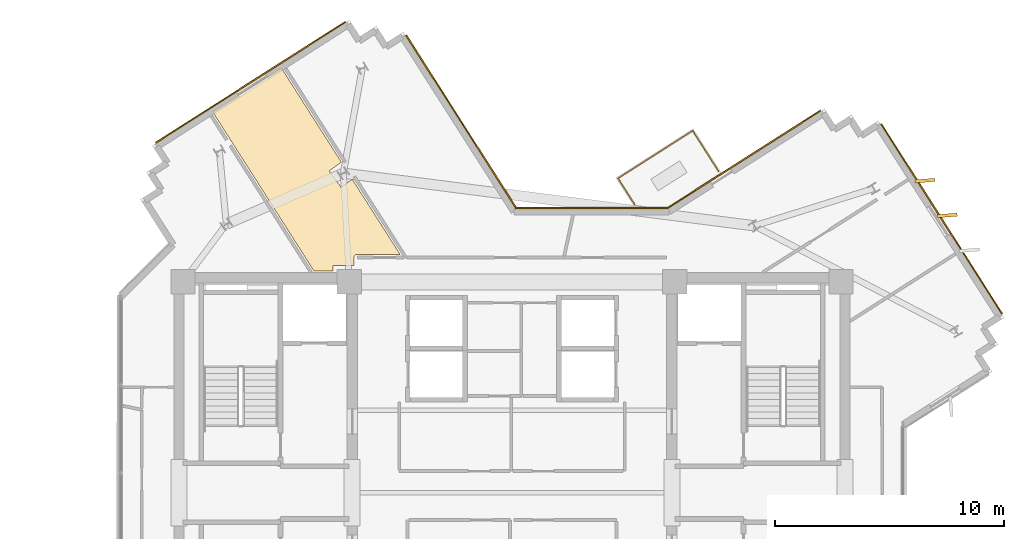
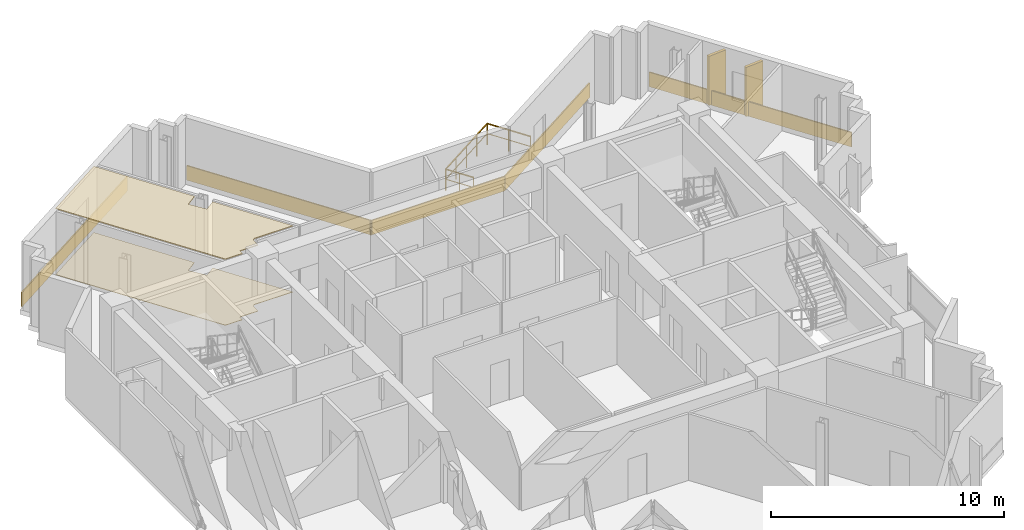
# One storey, part 12 of 12: 9 coverings, 3 railings.
"""IFC4 building model written with IfcOpenShell, lengths in metres."""

import ifcopenshell
import ifcopenshell.guid

model = None  # the IFC model being written
_history = None  # IfcOwnerHistory: only IFC2X3 demands one
_inside = {}  # id of a spatial element -> (the spatial element, [elements in it])
_under = {}  # id of a project, library or spatial element -> (it, [spatial elements below it])
_declared = {}  # id of a project -> (the project, [libraries it declares])
_typed = {}  # id of a type object -> (the type object, [elements of that type])
_made_of = {}  # id of a material, layer set ... -> (it, [elements and type objects made of it])


def new_model(schema):
    """Start an empty IFC model of exactly this schema.

    Asked for "IFC4X3", IfcOpenShell would pick the latest addendum, in which some entities
    have other attributes; the version numbers below select the first issue.
    IFC2X3 requires an IfcOwnerHistory on every rooted entity: one is made here for all.
    """
    global model, _history
    if schema == "IFC4X3":
        model = ifcopenshell.file(schema_version=(4, 3, 0, 0))
    else:
        model = ifcopenshell.file(schema=schema)
    _inside.clear()
    _under.clear()
    _declared.clear()
    _typed.clear()
    _made_of.clear()
    _history = None
    if model.schema == "IFC2X3":
        org = make("IfcOrganization", Name="unknown")
        user = make(
            "IfcPersonAndOrganization",
            ThePerson=make("IfcPerson", FamilyName="unknown"),
            TheOrganization=org,
        )
        app = make(
            "IfcApplication",
            ApplicationDeveloper=org,
            Version="unknown",
            ApplicationFullName="unknown",
            ApplicationIdentifier="unknown",
        )
        _history = make(
            "IfcOwnerHistory",
            OwningUser=user,
            OwningApplication=app,
            ChangeAction="ADDED",
            CreationDate=0,
        )
    return model


def make(cls, **values):
    """One entity of the class cls with the attributes given. An attribute that is None is left unset."""
    return model.create_entity(
        cls, **{name: value for name, value in values.items() if value is not None}
    )


def rooted(cls, **values):
    """An entity with a GlobalId (a new one), such as an element, a storey or a relation."""
    return make(cls, GlobalId=ifcopenshell.guid.new(), OwnerHistory=_history, **values)


def si_unit(unit_type, name, prefix=None):
    """IfcSIUnit, for example si_unit("LENGTHUNIT", "METRE", prefix="MILLI")."""
    return make("IfcSIUnit", UnitType=unit_type, Prefix=prefix, Name=name)


def assignment(units):
    """IfcUnitAssignment: the units of a project."""
    return None if units is None else make("IfcUnitAssignment", Units=units)


def point(xyz):
    """IfcCartesianPoint."""
    return None if xyz is None else make("IfcCartesianPoint", Coordinates=xyz)


def direction(xyz):
    """IfcDirection."""
    return None if xyz is None else make("IfcDirection", DirectionRatios=xyz)


def frame(location, z_axis=None, x_axis=None):
    """IfcAxis2Placement3D, a coordinate frame: its origin and axes. An axis left out is left unset."""
    return make(
        "IfcAxis2Placement3D",
        Location=point(location),
        Axis=direction(z_axis),
        RefDirection=direction(x_axis),
    )


def frame_2d(location, x_axis=None):
    """IfcAxis2Placement2D, a coordinate frame in the plane: its origin and x axis."""
    return make(
        "IfcAxis2Placement2D", Location=point(location), RefDirection=direction(x_axis)
    )


def origin():
    """The frame at (0, 0, 0) with its axes left unset."""
    return frame((0.0, 0.0, 0.0))


def origin_2d():
    """The frame at (0, 0) in the plane with its x axis left unset."""
    return frame_2d((0.0, 0.0))


def place(relative_to, where):
    """IfcLocalPlacement: puts the frame where relative to a parent placement (None: the world)."""
    return make(
        "IfcLocalPlacement", PlacementRelTo=relative_to, RelativePlacement=where
    )


def context(
    kind, dimensions, precision=None, world=None, true_north=None, identifier=None
):
    """IfcGeometricRepresentationContext, for example the 3D "Model" context."""
    return make(
        "IfcGeometricRepresentationContext",
        ContextIdentifier=identifier,
        ContextType=kind,
        CoordinateSpaceDimension=dimensions,
        Precision=precision,
        WorldCoordinateSystem=world,
        TrueNorth=true_north,
    )


def subcontext(parent, identifier, kind, view, scale=None):
    """IfcGeometricRepresentationSubContext, for example "Body" below "Model"."""
    return make(
        "IfcGeometricRepresentationSubContext",
        ContextIdentifier=identifier,
        ContextType=kind,
        ParentContext=parent,
        TargetScale=scale,
        TargetView=view,
    )


def project(units=None, contexts=None):
    """IfcProject with its units and contexts."""
    return rooted(
        "IfcProject",
        Name="project",
        RepresentationContexts=contexts,
        UnitsInContext=assignment(units),
    )


def spatial(cls, under=None, at=None, **own):
    """A site, building, storey or space (cls), placed at a placement, below another one or the project."""
    s = rooted(cls, ObjectPlacement=at, **own)
    if under is not None:
        _under.setdefault(under.id(), (under, []))[1].append(s)
    return s


def polyline(points):
    """IfcPolyline through the points."""
    return make("IfcPolyline", Points=[point(p) for p in points])


def profile(cls, at=None, kind="AREA", **sizes):
    """A parametric profile (cls). Its sizes go by their IFC names, for example OverallWidth=200.0."""
    return make(cls, ProfileType=kind, Position=at, **sizes)


def rectangle(**sizes):
    """IfcRectangleProfileDef."""
    return profile("IfcRectangleProfileDef", **sizes)


def outline(outer, holes=None, kind="AREA"):
    """IfcArbitraryClosedProfileDef: a profile drawn as a closed curve; with holes, ...WithVoids."""
    if holes is None:
        return make("IfcArbitraryClosedProfileDef", ProfileType=kind, OuterCurve=outer)
    return make(
        "IfcArbitraryProfileDefWithVoids",
        ProfileType=kind,
        OuterCurve=outer,
        InnerCurves=holes,
    )


def extrude(swept, where, along, depth):
    """IfcExtrudedAreaSolid: the profile swept, set in the frame where, extruded along a direction by depth."""
    return make(
        "IfcExtrudedAreaSolid",
        SweptArea=swept,
        Position=where,
        ExtrudedDirection=direction(along),
        Depth=depth,
    )


def shape(context_of_items, identifier, shape_type, items):
    """IfcShapeRepresentation: the items that make up one representation, for example the "Body"."""
    return make(
        "IfcShapeRepresentation",
        ContextOfItems=context_of_items,
        RepresentationIdentifier=identifier,
        RepresentationType=shape_type,
        Items=items,
    )


def source(mapping_origin, context_of_items, identifier, shape_type, items):
    """IfcRepresentationMap: a shape defined once, which mapped items show again and again."""
    return make(
        "IfcRepresentationMap",
        MappingOrigin=mapping_origin,
        MappedRepresentation=shape(context_of_items, identifier, shape_type, items),
    )


def transform(
    local_origin,
    x_axis=None,
    y_axis=None,
    z_axis=None,
    scale=None,
    scale2=None,
    scale3=None,
    uniform=True,
):
    """IfcCartesianTransformationOperator3D, or its non-uniform kind. x_axis, y_axis, z_axis: its Axis1, 2, 3."""
    if uniform:
        return make(
            "IfcCartesianTransformationOperator3D",
            Axis1=direction(x_axis),
            Axis2=direction(y_axis),
            LocalOrigin=point(local_origin),
            Scale=scale,
            Axis3=direction(z_axis),
        )
    return make(
        "IfcCartesianTransformationOperator3DnonUniform",
        Axis1=direction(x_axis),
        Axis2=direction(y_axis),
        LocalOrigin=point(local_origin),
        Scale=scale,
        Axis3=direction(z_axis),
        Scale2=scale2,
        Scale3=scale3,
    )


def mapped(mapping_source, mapping_target):
    """IfcMappedItem: shows the shape of a source again, moved by a transform."""
    return make(
        "IfcMappedItem", MappingSource=mapping_source, MappingTarget=mapping_target
    )


def material(Name=None, Category=None):
    """IfcMaterial."""
    return make("IfcMaterial", Name=Name, Category=Category)


def layer(
    of_material, thickness, ventilated=None, Name=None, Category=None, Priority=None
):
    """IfcMaterialLayer: one layer of a wall or slab, of a material (None: an air gap)."""
    return make(
        "IfcMaterialLayer",
        Material=of_material,
        LayerThickness=thickness,
        IsVentilated=ventilated,
        Name=Name,
        Category=Category,
        Priority=Priority,
    )


def layer_set(layers, Name=None):
    """IfcMaterialLayerSet."""
    return make("IfcMaterialLayerSet", MaterialLayers=layers, LayerSetName=Name)


def made_of(thing, what):
    """Note that an element or type object is made of a material, layer set ...; save() writes the relation."""
    if what is not None:
        _made_of.setdefault(what.id(), (what, []))[1].append(thing)
    return thing


def type_object(cls, material=None, **own):
    """A type object (cls), such as IfcWallType, which elements share."""
    return made_of(rooted(cls, **own), material)


def element(
    cls,
    number,
    at=None,
    inside=None,
    cuts=None,
    type_object=None,
    material=None,
    context=None,
    identifier="Body",
    shape_type=None,
    held_by="IfcProductDefinitionShape",
    body=None,
    shapes=None,
    **own,
):
    """One element of the class cls, such as IfcWall. Its Tag is "e" and its number.

    at: its placement. inside: the storey or other place that contains it. cuts: it is an
    opening in that element (IfcRelVoidsElement). A single representation is given by context,
    identifier, shape_type and body (its items); several are given by shapes. held_by: the class
    of the entity that holds the representations. save() writes the other relations.
    """
    e = rooted(cls, Tag="e%d" % number, ObjectPlacement=at, **own)
    if body is not None:
        shapes = [shape(context, identifier, shape_type, body)]
    if shapes is not None:
        e.Representation = make(held_by, Representations=shapes)
    if inside is not None:
        _inside.setdefault(inside.id(), (inside, []))[1].append(e)
    if cuts is not None:
        rooted(
            "IfcRelVoidsElement", RelatingBuildingElement=cuts, RelatedOpeningElement=e
        )
    if type_object is not None:
        _typed.setdefault(type_object.id(), (type_object, []))[1].append(e)
    return made_of(e, material)


def aggregate(whole, parts):
    """IfcRelAggregates: a whole, such as a stair, and the parts it consists of."""
    return rooted("IfcRelAggregates", RelatingObject=whole, RelatedObjects=parts)


def save(model, path):
    """Write the relations noted so far, then the file.

    IfcRelAggregates (storeys below a building ...), IfcRelContainedInSpatialStructure (elements
    in a storey), IfcRelDefinesByType, IfcRelAssociatesMaterial and IfcRelDeclares: one each for
    every whole, place, type object, material and project.
    """
    for whole, parts in _under.values():
        aggregate(whole, parts)
    for where, things in _inside.values():
        rooted(
            "IfcRelContainedInSpatialStructure",
            RelatedElements=things,
            RelatingStructure=where,
        )
    for kind, things in _typed.values():
        rooted("IfcRelDefinesByType", RelatedObjects=things, RelatingType=kind)
    for what, things in _made_of.values():
        rooted("IfcRelAssociatesMaterial", RelatedObjects=things, RelatingMaterial=what)
    for by, libraries in _declared.values():
        rooted("IfcRelDeclares", RelatingContext=by, RelatedDefinitions=libraries)
    model.write(path)


model = new_model("IFC4")

# Units and contexts
model_context = context("Model", 3, precision=1e-05, world=origin(), true_north=direction((0.0, 1.0)))
body_context = subcontext(model_context, "Body", "Model", "MODEL_VIEW")
ifc_project = project(units=[si_unit("LENGTHUNIT", "METRE"), si_unit("AREAUNIT", "SQUARE_METRE"), si_unit("VOLUMEUNIT", "CUBIC_METRE"), si_unit("PLANEANGLEUNIT", "RADIAN"), si_unit("MASSUNIT", "GRAM", prefix="KILO")], contexts=[model_context])

# Site, building, storey
site_placement = place(None, origin())
site = spatial("IfcSite", under=ifc_project, at=site_placement, CompositionType="ELEMENT")
building_placement = place(site_placement, origin())
building = spatial("IfcBuilding", under=site, at=building_placement, Name="Zahravan Cultural Tower", CompositionType="ELEMENT")
storey_placement = place(building_placement, frame((0.0, 0.0, 269.10009765625)))
storey = spatial("IfcBuildingStorey", under=building, at=storey_placement, Name="L64", CompositionType="ELEMENT", Elevation=269.10009765625)

# Coverings
ifc_material_1 = material(Name="Acoustic mineral fibreboard")
ifc_layer_1 = layer(ifc_material_1, 0.0400390625)
ifc_layer_set_1 = layer_set([ifc_layer_1], Name="Acoustic mineral fibreboard")
covering_type_1 = type_object("IfcCoveringType", Name="COV-CEIL-AC20", PredefinedType="CEILING", material=ifc_layer_set_1)
covering_1_placement = place(storey_placement, frame((0.0, 0.0, 3.4599609375)))
element("IfcCovering", 1, at=covering_1_placement, inside=storey, type_object=covering_type_1, Name="L64 Acoustic Suspended Ceiling", PredefinedType="CEILING", context=body_context, shape_type="SweptSolid", body=[
    extrude(outline(polyline([(28.54541015625, 40.32275390625), (28.0283203125, 41.03466796875), (28.55712890625, 41.4189453125), (25.93505859375, 45.53466796875), (22.9326171875, 43.6220703125), (27.35498046875, 36.679931640625), (28.199951171875, 36.679931640625), (28.199951171875, 36.89990234375), (29.110107421875, 36.89990234375), (29.1103515625, 37.28173828125), (29.139892578125, 37.353271484375), (29.21630859375, 37.398681640625), (31.117431640625, 37.39990234375), (29.03076171875, 40.67529296875), (28.54541015625, 40.32275390625)])), origin(), (0.0, 0.0, 1.0), 0.0400390625),
])
ifc_material_2 = material(Name="Terrazzo flooring")
ifc_layer_2 = layer(ifc_material_2, 0.02490234375)
ifc_layer_set_2 = layer_set([ifc_layer_2], Name="Terrazzo flooring")
covering_type_2 = type_object("IfcCoveringType", Name="COV-FLR-TZ25", PredefinedType="FLOORING", material=ifc_layer_set_2)
covering_2_placement = place(storey_placement, origin())
element("IfcCovering", 2, at=covering_2_placement, inside=storey, type_object=covering_type_2, Name="L64 Polished Terrazzo Flooring", PredefinedType="FLOORING", context=body_context, shape_type="SweptSolid", body=[
    extrude(outline(polyline([(28.54541015625, 40.32275390625), (28.0283203125, 41.03466796875), (28.55712890625, 41.4189453125), (25.93505859375, 45.53466796875), (22.9326171875, 43.6220703125), (27.35498046875, 36.679931640625), (28.199951171875, 36.679931640625), (28.199951171875, 36.89990234375), (29.110107421875, 36.89990234375), (29.1103515625, 37.28173828125), (29.139892578125, 37.353271484375), (29.21630859375, 37.398681640625), (31.117431640625, 37.39990234375), (29.03076171875, 40.67529296875), (28.54541015625, 40.32275390625)])), origin(), (0.0, 0.0, 1.0), 0.02490234375),
])

# Railings
ifc_material_3 = material(Name="Steel ASTM A572 Grade 50", Category="steel")
railing_type = type_object("IfcRailingType", Name="RL-BAL-1150", PredefinedType="BALUSTRADE", material=ifc_material_3)
railing_1_placement = place(storey_placement, frame((40.626220703125, 40.71337890625, 0.0)))
element("IfcRailing", 3, at=railing_1_placement, inside=storey, type_object=railing_type, Name="L64 Edge Balustrade GRD-TR-L64-NE-01", PredefinedType="BALUSTRADE", context=body_context, shape_type="SweptSolid", body=[
    extrude(rectangle(XDim=0.05, YDim=0.05, at=origin_2d()), frame((0.0, 0.0, 1.125), z_axis=(0.843400958966, 0.537284675397, 0.0), x_axis=(-0.537284675397, 0.843400958966, 0.0)), (0.0, 0.0, 1.0), 3.860107421875),
    extrude(rectangle(XDim=0.032, YDim=0.032, at=origin_2d()), frame((0.0, 0.0, 0.597900390625), z_axis=(0.843400958966, 0.537284675397, 0.0), x_axis=(-0.537284675397, 0.843400958966, 0.0)), (0.0, 0.0, 1.0), 3.860107421875),
    extrude(rectangle(XDim=0.04, YDim=0.04, at=origin_2d()), origin(), (0.0, 0.0, 1.0), 1.14990234375),
    extrude(rectangle(XDim=0.04, YDim=0.04, at=origin_2d()), frame((0.81396484375, 0.5185546875, 0.0)), (0.0, 0.0, 1.0), 1.14990234375),
    extrude(rectangle(XDim=0.04, YDim=0.04, at=origin_2d()), frame((1.6279296875, 1.037109375, 0.0)), (0.0, 0.0, 1.0), 1.14990234375),
    extrude(rectangle(XDim=0.04, YDim=0.04, at=origin_2d()), frame((2.441650390625, 1.555419921875, 0.0)), (0.0, 0.0, 1.0), 1.14990234375),
    extrude(rectangle(XDim=0.04, YDim=0.04, at=origin_2d()), frame((3.255615234375, 2.073974609375, 0.0)), (0.0, 0.0, 1.0), 1.14990234375),
])
railing_2_placement = place(storey_placement, frame((43.8818359375, 42.787353515625, 0.0)))
element("IfcRailing", 4, at=railing_2_placement, inside=storey, type_object=railing_type, Name="L64 Edge Balustrade GRD-TR-L64-NE-02", PredefinedType="BALUSTRADE", context=body_context, shape_type="SweptSolid", body=[
    extrude(rectangle(XDim=0.05, YDim=0.05, at=origin_2d()), frame((0.0, 0.0, 1.125), z_axis=(0.537221481212, -0.8434412132, 0.0), x_axis=(0.8434412132, 0.537221481212, 0.0)), (0.0, 0.0, 1.0), 2.10009765625),
    extrude(rectangle(XDim=0.032, YDim=0.032, at=origin_2d()), frame((0.0, 0.0, 0.597900390625), z_axis=(0.537221481212, -0.8434412132, 0.0), x_axis=(0.8434412132, 0.537221481212, 0.0)), (0.0, 0.0, 1.0), 2.10009765625),
    extrude(rectangle(XDim=0.04, YDim=0.04, at=origin_2d()), origin(), (0.0, 0.0, 1.0), 1.14990234375),
    extrude(rectangle(XDim=0.04, YDim=0.04, at=origin_2d()), frame((0.56396484375, -0.8857421875, 0.0)), (0.0, 0.0, 1.0), 1.14990234375),
    extrude(rectangle(XDim=0.04, YDim=0.04, at=origin_2d()), frame((1.128173828125, -1.771240234375, 0.0)), (0.0, 0.0, 1.0), 1.14990234375),
])
railing_3_placement = place(storey_placement, frame((41.348388671875, 39.580078125, 0.0)))
element("IfcRailing", 5, at=railing_3_placement, inside=storey, type_object=railing_type, Name="L64 Edge Balustrade GRD-TR-L64-NE-03", PredefinedType="BALUSTRADE", context=body_context, shape_type="SweptSolid", body=[
    extrude(rectangle(XDim=0.05, YDim=0.05, at=origin_2d()), frame((0.0, 0.0, 1.125), z_axis=(-0.53739262876, 0.843332178062, 0.0), x_axis=(-0.843332178062, -0.53739262876, 0.0)), (0.0, 0.0, 1.0), 1.34375),
    extrude(rectangle(XDim=0.032, YDim=0.032, at=origin_2d()), frame((0.0, 0.0, 0.597900390625), z_axis=(-0.53739262876, 0.843332178062, 0.0), x_axis=(-0.843332178062, -0.53739262876, 0.0)), (0.0, 0.0, 1.0), 1.34375),
    extrude(rectangle(XDim=0.04, YDim=0.04, at=origin_2d()), origin(), (0.0, 0.0, 1.0), 1.14990234375),
    extrude(rectangle(XDim=0.04, YDim=0.04, at=origin_2d()), frame((-0.361083984375, 0.566650390625, 0.0)), (0.0, 0.0, 1.0), 1.14990234375),
    extrude(rectangle(XDim=0.04, YDim=0.04, at=origin_2d()), frame((-0.72216796875, 1.13330078125, 0.0)), (0.0, 0.0, 1.0), 1.14990234375),
])

# Coverings
ifc_material_4 = material(Name="Terracotta ceramic cladding", Category="masonry")
ifc_layer_3 = layer(ifc_material_4, 0.06005859375)
ifc_layer_set_3 = layer_set([ifc_layer_3], Name="Terracotta ceramic cladding")
covering_type_3 = type_object("IfcCoveringType", Name="COV-CLAD-TC60", PredefinedType="CLADDING", material=ifc_layer_set_3)
shared_shape_1 = source(origin(), body_context, "Body", "SweptSolid", [
    extrude(rectangle(XDim=9.81982421875, YDim=0.06005859375, at=origin_2d()), origin(), (0.0, 0.0, 1.0), 0.760009765625),
])
for number, where, z_axis, x_axis, name in (
    (6, (54.744384765625, 38.94140625, 0.02001953125), (0.0, 0.0, 1.0), (0.537299608347, -0.843391445813, 0.0), "L64 Terracotta Spandrel Cladding 06"),
    (7, (24.595703125, 44.90087890625, 0.02001953125), (0.0, 0.0, 1.0), (0.843391445813, 0.537299608347, 0.0), "L64 Terracotta Spandrel Cladding 42"),
):
    element("IfcCovering", number, at=place(storey_placement, frame(where, z_axis=z_axis, x_axis=x_axis)), inside=storey, type_object=covering_type_3, Name=name, PredefinedType="CLADDING", context=body_context, shape_type="MappedRepresentation", body=[
        mapped(shared_shape_1, transform((0.0, 0.0, 0.0), x_axis=(1.0, 0.0, 0.0), y_axis=(0.0, 1.0, 0.0), z_axis=(0.0, 0.0, 1.0), scale=1.0)),
    ])
shared_shape_2 = source(origin(), body_context, "Body", "SweptSolid", [
    extrude(rectangle(XDim=0.8798828125, YDim=0.139892578125, at=origin_2d()), origin(), (0.0, 0.0, 1.0), 2.580078125),
])
for number, where, z_axis, x_axis, name in (
    (8, (54.017578125, 40.61279296875, 0.0498046875), (0.0, 0.0, 1.0), (0.996917333733, 0.078459095728, 0.0), "L64 Herringbone Terracotta Fin 01"),
    (9, (54.984619140625, 39.094482421875, 0.0498046875), (0.0, 0.0, 1.0), (0.996917333733, 0.078459095728, 0.0), "L64 Herringbone Terracotta Fin 02"),
):
    element("IfcCovering", number, at=place(storey_placement, frame(where, z_axis=z_axis, x_axis=x_axis)), inside=storey, type_object=covering_type_3, Name=name, PredefinedType="CLADDING", context=body_context, shape_type="MappedRepresentation", body=[
        mapped(shared_shape_2, transform((0.0, 0.0, 0.0), x_axis=(1.0, 0.0, 0.0), y_axis=(0.0, 1.0, 0.0), z_axis=(0.0, 0.0, 1.0), scale=1.0)),
    ])
shared_shape_3 = source(origin(), body_context, "Body", "SweptSolid", [
    extrude(rectangle(XDim=7.896240234375, YDim=0.06005859375, at=origin_2d()), origin(), (0.0, 0.0, 1.0), 0.760009765625),
])
covering_3_placement = place(storey_placement, frame((46.13232421875, 41.54736328125, 0.02001953125), z_axis=(0.0, 0.0, 1.0), x_axis=(0.843391445813, 0.537299608347, 0.0)))
element("IfcCovering", 10, at=covering_3_placement, inside=storey, type_object=covering_type_3, Name="L64 Terracotta Spandrel Cladding 01", PredefinedType="CLADDING", context=body_context, shape_type="MappedRepresentation", body=[
    mapped(shared_shape_3, transform((0.0, 0.0, 0.0), x_axis=(1.0, 0.0, 0.0), y_axis=(0.0, 1.0, 0.0), z_axis=(0.0, 0.0, 1.0), scale=1.0)),
])
shared_shape_4 = source(origin(), body_context, "Body", "SweptSolid", [
    extrude(rectangle(XDim=8.96630859375, YDim=0.06005859375, at=origin_2d()), origin(), (0.0, 0.0, 1.0), 0.760009765625),
])
covering_4_placement = place(storey_placement, frame((33.789794921875, 43.171875, 0.02001953125), z_axis=(0.0, 0.0, 1.0), x_axis=(0.537299608347, -0.843391445813, 0.0)))
element("IfcCovering", 11, at=covering_4_placement, inside=storey, type_object=covering_type_3, Name="L64 Terracotta Spandrel Cladding 47", PredefinedType="CLADDING", context=body_context, shape_type="MappedRepresentation", body=[
    mapped(shared_shape_4, transform((0.0, 0.0, 0.0), x_axis=(1.0, 0.0, 0.0), y_axis=(0.0, 1.0, 0.0), z_axis=(0.0, 0.0, 1.0), scale=1.0)),
])
shared_shape_5 = source(origin(), body_context, "Body", "SweptSolid", [
    extrude(rectangle(XDim=6.662841796875, YDim=0.06005859375, at=origin_2d()), origin(), (0.0, 0.0, 1.0), 0.760009765625),
])
covering_5_placement = place(storey_placement, frame((39.467529296875, 39.425048828125, 0.02001953125), z_axis=(0.0, 0.0, 1.0), x_axis=(1.0, 0.0, 0.0)))
element("IfcCovering", 12, at=covering_5_placement, inside=storey, type_object=covering_type_3, Name="L64 Terracotta Spandrel Cladding 48", PredefinedType="CLADDING", context=body_context, shape_type="MappedRepresentation", body=[
    mapped(shared_shape_5, transform((0.0, 0.0, 0.0), x_axis=(1.0, 0.0, 0.0), y_axis=(0.0, 1.0, 0.0), z_axis=(0.0, 0.0, 1.0), scale=1.0)),
])

save(model, "model.ifc")
